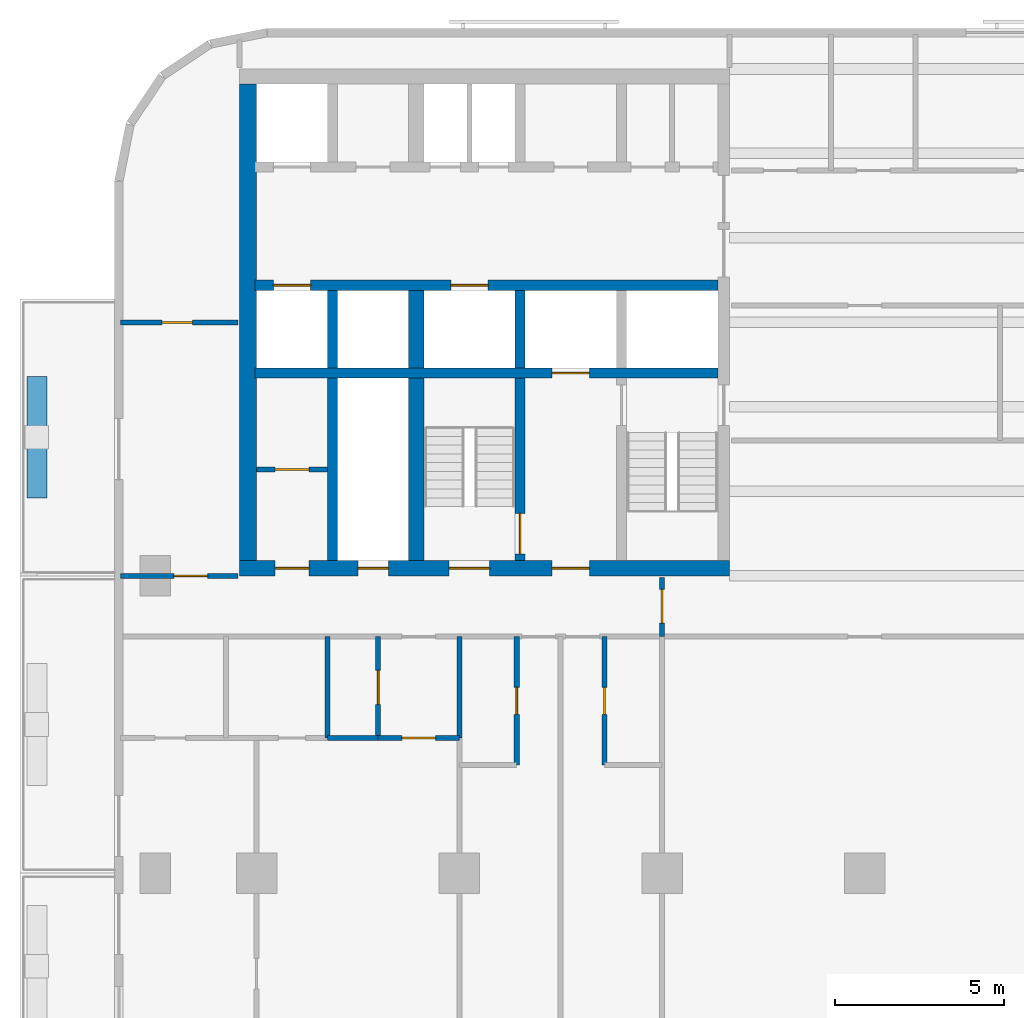
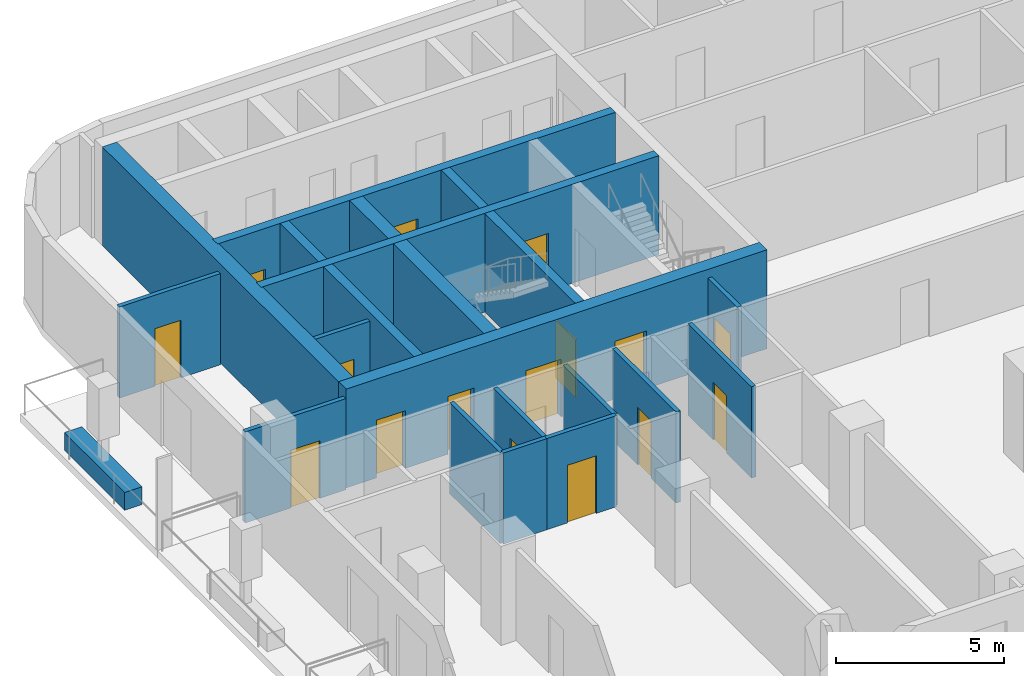
# One storey, part 3 of 11: 22 walls, 16 doors, 16 openings.
"""IFC4 building model written with IfcOpenShell, lengths in metres."""

from ifc_helpers import new_model, si_unit, direction, frame, frame_2d, origin, place, context, subcontext, project, spatial, rectangle, extrude, material, layer, layer_set, type_object, element, fill, save


model = new_model("IFC4")

# Units and contexts
model_context = context("Model", 3, precision=1e-05, world=origin(), true_north=direction((0.0, 1.0)))
body_context = subcontext(model_context, "Body", "Model", "MODEL_VIEW")
ifc_project = project(units=[si_unit("LENGTHUNIT", "METRE"), si_unit("AREAUNIT", "SQUARE_METRE"), si_unit("VOLUMEUNIT", "CUBIC_METRE"), si_unit("PLANEANGLEUNIT", "RADIAN"), si_unit("MASSUNIT", "GRAM", prefix="KILO")], contexts=[model_context])

# Site, building, storey
site_placement = place(None, origin())
site = spatial("IfcSite", under=ifc_project, at=site_placement, CompositionType="ELEMENT")
building_placement = place(site_placement, origin())
building = spatial("IfcBuilding", under=site, at=building_placement, Name="Torana Hotel and Residences", CompositionType="ELEMENT")
storey_placement = place(building_placement, frame((0.0, 0.0, 116.39990234375)))
storey = spatial("IfcBuildingStorey", under=building, at=storey_placement, Name="L29", CompositionType="ELEMENT", Elevation=116.39990234375)

# Wall, openings, doors
ifc_material_1 = material(Name="Concrete C70/85", Category="concrete")
ifc_layer_1 = layer(ifc_material_1, 0.300048828125)
ifc_layer_set_1 = layer_set([ifc_layer_1], Name="CORE WALL 300 C70/85")
wall_type_1 = type_object("IfcWallType", Name="CORE WALL 300 C70/85", PredefinedType="SHEAR", material=ifc_layer_set_1)
wall_1_placement = place(storey_placement, frame((-24.050048828125, -6.39990234375, 0.0), z_axis=(0.0, 0.0, 1.0), x_axis=(1.0, 0.0, 0.0)))
wall_1 = element("IfcWall", 1, at=wall_1_placement, inside=storey, type_object=wall_type_1, Name="Core wall W row-S", PredefinedType="SHEAR", context=body_context, shape_type="SweptSolid", body=[
    extrude(rectangle(XDim=13.699951171875, YDim=0.300048828125, at=frame_2d((6.85009765625, 0.0))), origin(), (0.0, 0.0, 1.0), 3.60009765625),
])
opening_1_placement = place(wall_1_placement, frame((0.550048828125, 0.0, 0.0)))
opening_1 = element("IfcOpeningElement", 2, at=opening_1_placement, cuts=wall_1, Name="Opening LD", PredefinedType="OPENING", context=body_context, shape_type="SweptSolid", body=[
    extrude(rectangle(XDim=1.10009765625, YDim=2.10009765625, at=frame_2d((0.550048828125, 1.050048828125))), frame((0.0, 0.159912109375, 0.0), z_axis=(0.0, -1.0, 0.0), x_axis=(1.0, 0.0, 0.0)), (0.0, 0.0, 1.0), 0.320068359375),
])
opening_2_placement = place(wall_1_placement, frame((5.800048828125, 0.0, 0.0)))
opening_2 = element("IfcOpeningElement", 3, at=opening_2_placement, cuts=wall_1, Name="Opening LD", PredefinedType="OPENING", context=body_context, shape_type="SweptSolid", body=[
    extrude(rectangle(XDim=1.10009765625, YDim=2.10009765625, at=frame_2d((0.550048828125, 1.050048828125))), frame((0.0, 0.159912109375, 0.0), z_axis=(0.0, -1.0, 0.0), x_axis=(1.0, 0.0, 0.0)), (0.0, 0.0, 1.0), 0.320068359375),
])
ifc_material_2 = material(Name="Stainless steel 316", Category="steel")
door_type_1 = type_object("IfcDoorType", Name="LIFT LANDING DOOR LD 1100x2100", OperationType="DOUBLE_DOOR_SLIDING", PredefinedType="USERDEFINED", material=ifc_material_2)
door_1_placement = place(opening_1_placement, origin())
door_1 = element("IfcDoor", 4, at=door_1_placement, inside=storey, type_object=door_type_1, Name="Lift landing door M2 L29", ObjectType="LIFT LANDING DOOR", OperationType="DOUBLE_DOOR_SLIDING", OverallHeight=2.10009765625, OverallWidth=1.10009765625, PredefinedType="USERDEFINED", context=body_context, shape_type="SweptSolid", body=[
    extrude(rectangle(XDim=1.10009765625, YDim=2.10009765625, at=frame_2d((0.550048828125, 1.050048828125))), frame((0.0, 0.02490234375, 0.0), z_axis=(0.0, -1.0, 0.0), x_axis=(1.0, 0.0, 0.0)), (0.0, 0.0, 1.0), 0.050048828125),
])
fill(opening_1, door_1)
door_2_placement = place(opening_2_placement, origin())
door_2 = element("IfcDoor", 5, at=door_2_placement, inside=storey, type_object=door_type_1, Name="Lift landing door SV1 L29", ObjectType="LIFT LANDING DOOR", OperationType="DOUBLE_DOOR_SLIDING", OverallHeight=2.10009765625, OverallWidth=1.10009765625, PredefinedType="USERDEFINED", context=body_context, shape_type="SweptSolid", body=[
    extrude(rectangle(XDim=1.10009765625, YDim=2.10009765625, at=frame_2d((0.550048828125, 1.050048828125))), frame((0.0, 0.02490234375, 0.0), z_axis=(0.0, -1.0, 0.0), x_axis=(1.0, 0.0, 0.0)), (0.0, 0.0, 1.0), 0.050048828125),
])
fill(opening_2, door_2)

# Wall, opening, door
wall_2_placement = place(storey_placement, frame((-24.050048828125, -9.0, 0.0), z_axis=(0.0, 0.0, 1.0), x_axis=(1.0, 0.0, 0.0)))
wall_2 = element("IfcWall", 6, at=wall_2_placement, inside=storey, type_object=wall_type_1, Name="Core wall W band", PredefinedType="SHEAR", context=body_context, shape_type="SweptSolid", body=[
    extrude(rectangle(XDim=13.699951171875, YDim=0.300048828125, at=frame_2d((6.85009765625, 0.0))), origin(), (0.0, 0.0, 1.0), 3.60009765625),
])
opening_3_placement = place(wall_2_placement, frame((8.800048828125, 0.0, 0.0)))
opening_3 = element("IfcOpeningElement", 7, at=opening_3_placement, cuts=wall_2, Name="Opening LD", PredefinedType="OPENING", context=body_context, shape_type="SweptSolid", body=[
    extrude(rectangle(XDim=1.10009765625, YDim=2.10009765625, at=frame_2d((0.550048828125, 1.050048828125))), frame((0.0, 0.159912109375, 0.0), z_axis=(0.0, -1.0, 0.0), x_axis=(1.0, 0.0, 0.0)), (0.0, 0.0, 1.0), 0.320068359375),
])
door_3_placement = place(opening_3_placement, origin())
door_3 = element("IfcDoor", 8, at=door_3_placement, inside=storey, type_object=door_type_1, Name="Lift landing door FF1 L29", ObjectType="LIFT LANDING DOOR", OperationType="DOUBLE_DOOR_SLIDING", OverallHeight=2.10009765625, OverallWidth=1.10009765625, PredefinedType="USERDEFINED", context=body_context, shape_type="SweptSolid", body=[
    extrude(rectangle(XDim=1.10009765625, YDim=2.10009765625, at=frame_2d((0.550048828125, 1.050048828125))), frame((0.0, 0.02490234375, 0.0), z_axis=(0.0, -1.0, 0.0), x_axis=(1.0, 0.0, 0.0)), (0.0, 0.0, 1.0), 0.050048828125),
])
fill(opening_3, door_3)

# Wall
wall_3_placement = place(storey_placement, frame((-16.199951171875, -8.85009765625, 0.0), z_axis=(0.0, 0.0, 1.0), x_axis=(0.0, 1.0, 0.0)))
element("IfcWall", 9, at=wall_3_placement, inside=storey, type_object=wall_type_1, Name="Core wall W x6.05-S", PredefinedType="SHEAR", context=body_context, shape_type="SweptSolid", body=[
    extrude(rectangle(XDim=2.300048828125, YDim=0.300048828125, at=frame_2d((1.14990234375, 0.0))), origin(), (0.0, 0.0, 1.0), 3.60009765625),
])

# Wall, opening, door
wall_4_placement = place(storey_placement, frame((-16.199951171875, -14.550048828125, 0.0), z_axis=(0.0, 0.0, 1.0), x_axis=(0.0, 1.0, 0.0)))
wall_4 = element("IfcWall", 10, at=wall_4_placement, inside=storey, type_object=wall_type_1, Name="Core wall W x6.05-band", PredefinedType="SHEAR", context=body_context, shape_type="SweptSolid", body=[
    extrude(rectangle(XDim=5.400146484375, YDim=0.300048828125, at=frame_2d((2.7001953125, 0.0))), origin(), (0.0, 0.0, 1.0), 3.60009765625),
])
opening_4_placement = place(wall_4_placement, frame((0.199951171875, 0.0, 0.0)))
opening_4 = element("IfcOpeningElement", 11, at=opening_4_placement, cuts=wall_4, Name="Opening L29-15", PredefinedType="OPENING", context=body_context, shape_type="SweptSolid", body=[
    extrude(rectangle(XDim=1.199951171875, YDim=2.10009765625, at=frame_2d((0.60009765625, 1.050048828125))), frame((0.0, 0.159912109375, 0.0), z_axis=(0.0, -1.0, 0.0), x_axis=(1.0, 0.0, 0.0)), (0.0, 0.0, 1.0), 0.320068359375),
])
ifc_material_3 = material(Name="Steel S235", Category="steel")
door_type_2 = type_object("IfcDoorType", Name="STAIR FIRE DOOR D3 1200x2100", OperationType="SINGLE_SWING_LEFT", PredefinedType="DOOR", material=ifc_material_3)
door_4_placement = place(opening_4_placement, origin())
door_4 = element("IfcDoor", 12, at=door_4_placement, inside=storey, type_object=door_type_2, Name="Stair-B-lobby door L29", OperationType="SINGLE_SWING_RIGHT", OverallHeight=2.10009765625, OverallWidth=1.199951171875, PredefinedType="DOOR", context=body_context, shape_type="SweptSolid", body=[
    extrude(rectangle(XDim=1.199951171875, YDim=2.10009765625, at=frame_2d((0.60009765625, 1.050048828125))), frame((0.0, 0.02490234375, 0.0), z_axis=(0.0, -1.0, 0.0), x_axis=(1.0, 0.0, 0.0)), (0.0, 0.0, 1.0), 0.050048828125),
])
fill(opening_4, door_4)

# Walls
wall_5_placement = place(storey_placement, frame((-21.75, -8.85009765625, 0.0), z_axis=(0.0, 0.0, 1.0), x_axis=(0.0, 1.0, 0.0)))
element("IfcWall", 13, at=wall_5_placement, inside=storey, type_object=wall_type_1, Name="Core wall W mm-S", PredefinedType="SHEAR", context=body_context, shape_type="SweptSolid", body=[
    extrude(rectangle(XDim=2.300048828125, YDim=0.300048828125, at=frame_2d((1.14990234375, 0.0))), origin(), (0.0, 0.0, 1.0), 3.60009765625),
])
wall_6_placement = place(storey_placement, frame((-21.75, -14.550048828125, 0.0), z_axis=(0.0, 0.0, 1.0), x_axis=(0.0, 1.0, 0.0)))
element("IfcWall", 14, at=wall_6_placement, inside=storey, type_object=wall_type_1, Name="Core wall W mm-band", PredefinedType="SHEAR", context=body_context, shape_type="SweptSolid", body=[
    extrude(rectangle(XDim=5.400146484375, YDim=0.300048828125, at=frame_2d((2.7001953125, 0.0))), origin(), (0.0, 0.0, 1.0), 3.60009765625),
])

# Wall, openings, doors
ifc_material_4 = material(Name="Concrete C70/85", Category="concrete")
ifc_layer_2 = layer(ifc_material_4, 0.449951171875)
ifc_layer_set_2 = layer_set([ifc_layer_2], Name="CORE WALL 450 C70/85")
wall_type_2 = type_object("IfcWallType", Name="CORE WALL 450 C70/85", PredefinedType="SHEAR", material=ifc_layer_set_2)
wall_7_placement = place(storey_placement, frame((-24.5, -14.77490234375, 0.0), z_axis=(0.0, 0.0, 1.0), x_axis=(1.0, 0.0, 0.0)))
wall_7 = element("IfcWall", 15, at=wall_7_placement, inside=storey, type_object=wall_type_2, Name="Core wall W front", PredefinedType="SHEAR", context=body_context, shape_type="SweptSolid", body=[
    extrude(rectangle(XDim=14.5, YDim=0.449951171875, at=frame_2d((7.25, 0.0))), origin(), (0.0, 0.0, 1.0), 3.60009765625),
])
opening_5_placement = place(wall_7_placement, frame((6.199951171875, 0.0, 0.0)))
opening_5 = element("IfcOpeningElement", 16, at=opening_5_placement, cuts=wall_7, Name="Opening L29-04", PredefinedType="OPENING", context=body_context, shape_type="SweptSolid", body=[
    extrude(rectangle(XDim=1.199951171875, YDim=2.10009765625, at=frame_2d((0.60009765625, 1.050048828125))), frame((0.0, 0.23486328125, 0.0), z_axis=(0.0, -1.0, 0.0), x_axis=(1.0, 0.0, 0.0)), (0.0, 0.0, 1.0), 0.469970703125),
])
opening_6_placement = place(wall_7_placement, frame((9.25, 0.0, 0.0)))
opening_6 = element("IfcOpeningElement", 17, at=opening_6_placement, cuts=wall_7, Name="Opening L29-05", PredefinedType="OPENING", context=body_context, shape_type="SweptSolid", body=[
    extrude(rectangle(XDim=1.10009765625, YDim=2.10009765625, at=frame_2d((0.550048828125, 1.050048828125))), frame((0.0, 0.23486328125, 0.0), z_axis=(0.0, -1.0, 0.0), x_axis=(1.0, 0.0, 0.0)), (0.0, 0.0, 1.0), 0.469970703125),
])
opening_7_placement = place(wall_7_placement, frame((3.5, 0.0, 0.0)))
opening_7 = element("IfcOpeningElement", 18, at=opening_7_placement, cuts=wall_7, Name="Opening L29-06", PredefinedType="OPENING", context=body_context, shape_type="SweptSolid", body=[
    extrude(rectangle(XDim=0.89990234375, YDim=2.10009765625, at=frame_2d((0.449951171875, 1.050048828125))), frame((0.0, 0.23486328125, 0.0), z_axis=(0.0, -1.0, 0.0), x_axis=(1.0, 0.0, 0.0)), (0.0, 0.0, 1.0), 0.469970703125),
])
opening_8_placement = place(wall_7_placement, frame((1.050048828125, 0.0, 0.0)))
opening_8 = element("IfcOpeningElement", 19, at=opening_8_placement, cuts=wall_7, Name="Opening L29-07", PredefinedType="OPENING", context=body_context, shape_type="SweptSolid", body=[
    extrude(rectangle(XDim=1.0, YDim=2.10009765625, at=frame_2d((0.5, 1.050048828125))), frame((0.0, 0.23486328125, 0.0), z_axis=(0.0, -1.0, 0.0), x_axis=(1.0, 0.0, 0.0)), (0.0, 0.0, 1.0), 0.469970703125),
])
ifc_material_5 = material(Name="Steel S235", Category="steel")
door_type_3 = type_object("IfcDoorType", Name="CORE ROOM FIRE DOOR D14 1000x2100", OperationType="SINGLE_SWING_LEFT", PredefinedType="DOOR", material=ifc_material_5)
door_5_placement = place(opening_8_placement, origin())
door_5 = element("IfcDoor", 20, at=door_5_placement, inside=storey, type_object=door_type_3, Name="M-Room-B door L29", OperationType="SINGLE_SWING_RIGHT", OverallHeight=2.10009765625, OverallWidth=1.0, PredefinedType="DOOR", context=body_context, shape_type="SweptSolid", body=[
    extrude(rectangle(XDim=1.0, YDim=2.10009765625, at=frame_2d((0.5, 1.050048828125))), frame((0.0, 0.02490234375, 0.0), z_axis=(0.0, -1.0, 0.0), x_axis=(1.0, 0.0, 0.0)), (0.0, 0.0, 1.0), 0.050048828125),
])
fill(opening_8, door_5)
ifc_material_6 = material(Name="Steel S235", Category="steel")
door_type_4 = type_object("IfcDoorType", Name="FIRE-FIGHTING LOBBY DOOR D8 1100x2100", OperationType="SINGLE_SWING_LEFT", PredefinedType="DOOR", material=ifc_material_6)
door_6_placement = place(opening_6_placement, origin())
door_6 = element("IfcDoor", 21, at=door_6_placement, inside=storey, type_object=door_type_4, Name="FF-lobby door L29", OperationType="SINGLE_SWING_RIGHT", OverallHeight=2.10009765625, OverallWidth=1.10009765625, PredefinedType="DOOR", context=body_context, shape_type="SweptSolid", body=[
    extrude(rectangle(XDim=1.10009765625, YDim=2.10009765625, at=frame_2d((0.550048828125, 1.050048828125))), frame((0.0, 0.02490234375, 0.0), z_axis=(0.0, -1.0, 0.0), x_axis=(1.0, 0.0, 0.0)), (0.0, 0.0, 1.0), 0.050048828125),
])
fill(opening_6, door_6)
ifc_material_7 = material(Name="Steel S235", Category="steel")
door_type_5 = type_object("IfcDoorType", Name="RISER ACCESS DOOR D5 900x2100", OperationType="SINGLE_SWING_LEFT", PredefinedType="DOOR", material=ifc_material_7)
door_7_placement = place(opening_7_placement, origin())
door_7 = element("IfcDoor", 22, at=door_7_placement, inside=storey, type_object=door_type_5, Name="M-Riser door L29", OperationType="SINGLE_SWING_RIGHT", OverallHeight=2.10009765625, OverallWidth=0.89990234375, PredefinedType="DOOR", context=body_context, shape_type="SweptSolid", body=[
    extrude(rectangle(XDim=0.89990234375, YDim=2.10009765625, at=frame_2d((0.449951171875, 1.050048828125))), frame((0.0, 0.02490234375, 0.0), z_axis=(0.0, -1.0, 0.0), x_axis=(1.0, 0.0, 0.0)), (0.0, 0.0, 1.0), 0.050048828125),
])
fill(opening_7, door_7)
door_8_placement = place(opening_5_placement, origin())
door_8 = element("IfcDoor", 23, at=door_8_placement, inside=storey, type_object=door_type_2, Name="Stair-B door L29", OperationType="SINGLE_SWING_RIGHT", OverallHeight=2.10009765625, OverallWidth=1.199951171875, PredefinedType="DOOR", context=body_context, shape_type="SweptSolid", body=[
    extrude(rectangle(XDim=1.199951171875, YDim=2.10009765625, at=frame_2d((0.60009765625, 1.050048828125))), frame((0.0, 0.02490234375, 0.0), z_axis=(0.0, -1.0, 0.0), x_axis=(1.0, 0.0, 0.0)), (0.0, 0.0, 1.0), 0.050048828125),
])
fill(opening_5, door_8)

# Walls
wall_8_placement = place(storey_placement, frame((-19.27490234375, -8.85009765625, 0.0), z_axis=(0.0, 0.0, 1.0), x_axis=(0.0, 1.0, 0.0)))
element("IfcWall", 24, at=wall_8_placement, inside=storey, type_object=wall_type_2, Name="Core wall W hm-S", PredefinedType="SHEAR", context=body_context, shape_type="SweptSolid", body=[
    extrude(rectangle(XDim=2.300048828125, YDim=0.449951171875, at=frame_2d((1.14990234375, 0.0))), origin(), (0.0, 0.0, 1.0), 3.60009765625),
])
wall_9_placement = place(storey_placement, frame((-19.27490234375, -14.550048828125, 0.0), z_axis=(0.0, 0.0, 1.0), x_axis=(0.0, 1.0, 0.0)))
element("IfcWall", 25, at=wall_9_placement, inside=storey, type_object=wall_type_2, Name="Core wall W hm-band", PredefinedType="SHEAR", context=body_context, shape_type="SweptSolid", body=[
    extrude(rectangle(XDim=5.400146484375, YDim=0.449951171875, at=frame_2d((2.7001953125, 0.0))), origin(), (0.0, 0.0, 1.0), 3.60009765625),
])
ifc_material_8 = material(Name="Concrete C70/85", Category="concrete")
ifc_layer_3 = layer(ifc_material_8, 0.5)
ifc_layer_set_3 = layer_set([ifc_layer_3], Name="CORE WALL 500 C70/85")
wall_type_3 = type_object("IfcWallType", Name="CORE WALL 500 C70/85", PredefinedType="SHEAR", material=ifc_layer_set_3)
wall_10_placement = place(storey_placement, frame((-24.25, -14.550048828125, 0.0), z_axis=(0.0, 0.0, 1.0), x_axis=(0.0, 1.0, 0.0)))
element("IfcWall", 26, at=wall_10_placement, inside=storey, type_object=wall_type_3, Name="Core wall W outer", PredefinedType="SHEAR", context=body_context, shape_type="SweptSolid", body=[
    extrude(rectangle(XDim=14.10009765625, YDim=0.5, at=frame_2d((7.050048828125, 0.0))), origin(), (0.0, 0.0, 1.0), 3.60009765625),
])

# Wall, opening, door
ifc_material_9 = material(Name="Gypsum plaster")
ifc_layer_4 = layer(ifc_material_9, 0.014892578125, Name="Plaster", Category="finish")
ifc_material_10 = material(Name="Concrete blockwork", Category="masonry")
ifc_layer_5 = layer(ifc_material_10, 0.1201171875, Name="Blockwork", Category="structure")
ifc_layer_6 = layer(ifc_material_9, 0.014892578125, Name="Plaster", Category="finish")
ifc_layer_set_4 = layer_set([ifc_layer_4, ifc_layer_5, ifc_layer_6], Name="FIRE PARTITION 150 BLOCKWORK")
wall_type_4 = type_object("IfcWallType", Name="FIRE PARTITION 150 BLOCKWORK", PredefinedType="PARTITIONING", material=ifc_layer_set_4)
wall_11_placement = place(storey_placement, frame((-24.0, -11.85009765625, 0.0), z_axis=(0.0, 0.0, 1.0), x_axis=(1.0, 0.0, 0.0)))
wall_11 = element("IfcWall", 27, at=wall_11_placement, inside=storey, type_object=wall_type_4, Name="Core partition L29", PredefinedType="PARTITIONING", context=body_context, shape_type="SweptSolid", body=[
    extrude(rectangle(XDim=2.10009765625, YDim=0.14990234375, at=frame_2d((1.050048828125, 0.0))), origin(), (0.0, 0.0, 1.0), 3.300048828125),
])
opening_9_placement = place(wall_11_placement, frame((0.550048828125, 0.0, 0.0)))
opening_9 = element("IfcOpeningElement", 28, at=opening_9_placement, cuts=wall_11, Name="Opening L29-31", PredefinedType="OPENING", context=body_context, shape_type="SweptSolid", body=[
    extrude(rectangle(XDim=1.0, YDim=2.10009765625, at=frame_2d((0.5, 1.050048828125))), frame((0.0, 0.0849609375, 0.0), z_axis=(0.0, -1.0, 0.0), x_axis=(1.0, 0.0, 0.0)), (0.0, 0.0, 1.0), 0.169921875),
])
door_9_placement = place(opening_9_placement, origin())
door_9 = element("IfcDoor", 29, at=door_9_placement, inside=storey, type_object=door_type_3, Name="Plant room door L29", OperationType="SINGLE_SWING_RIGHT", OverallHeight=2.10009765625, OverallWidth=1.0, PredefinedType="DOOR", context=body_context, shape_type="SweptSolid", body=[
    extrude(rectangle(XDim=1.0, YDim=2.10009765625, at=frame_2d((0.5, 1.050048828125))), frame((0.0, 0.02490234375, 0.0), z_axis=(0.0, -1.0, 0.0), x_axis=(1.0, 0.0, 0.0)), (0.0, 0.0, 1.0), 0.050048828125),
])
fill(opening_9, door_9)

wall_12_placement = place(storey_placement, frame((-12.0, -16.800048828125, 0.0), z_axis=(0.0, 0.0, 1.0), x_axis=(0.0, 1.0, 0.0)))
wall_12 = element("IfcWall", 30, at=wall_12_placement, inside=storey, type_object=wall_type_4, Name="Partition L29", PredefinedType="PARTITIONING", context=body_context, shape_type="SweptSolid", body=[
    extrude(rectangle(XDim=1.75, YDim=0.14990234375, at=frame_2d((0.875, 0.0))), origin(), (0.0, 0.0, 1.0), 3.320068359375),
])
opening_10_placement = place(wall_12_placement, frame((0.39990234375, 0.0, 0.0)))
opening_10 = element("IfcOpeningElement", 31, at=opening_10_placement, cuts=wall_12, Name="Opening L29-33", PredefinedType="OPENING", context=body_context, shape_type="SweptSolid", body=[
    extrude(rectangle(XDim=1.0, YDim=2.10009765625, at=frame_2d((0.5, 1.050048828125))), frame((0.0, 0.0849609375, 0.0), z_axis=(0.0, -1.0, 0.0), x_axis=(1.0, 0.0, 0.0)), (0.0, 0.0, 1.0), 0.169921875),
])
ifc_material_11 = material(Name="Steel S235", Category="steel")
door_type_6 = type_object("IfcDoorType", Name="ENTRY FIRE DOOR D6 1000x2100", OperationType="SINGLE_SWING_LEFT", PredefinedType="DOOR", material=ifc_material_11)
door_10_placement = place(opening_10_placement, origin())
door_10 = element("IfcDoor", 32, at=door_10_placement, inside=storey, type_object=door_type_6, Name="Door L29", OperationType="SINGLE_SWING_RIGHT", OverallHeight=2.10009765625, OverallWidth=1.0, PredefinedType="DOOR", context=body_context, shape_type="SweptSolid", body=[
    extrude(rectangle(XDim=1.0, YDim=2.10009765625, at=frame_2d((0.5, 1.050048828125))), frame((0.0, 0.02490234375, 0.0), z_axis=(0.0, -1.0, 0.0), x_axis=(1.0, 0.0, 0.0)), (0.0, 0.0, 1.0), 0.050048828125),
])
fill(opening_10, door_10)

# Wall
wall_13_placement = place(storey_placement, frame((-18.0, -19.800048828125, 0.0), z_axis=(0.0, 0.0, 1.0), x_axis=(0.0, 1.0, 0.0)))
element("IfcWall", 33, at=wall_13_placement, inside=storey, type_object=wall_type_4, Name="Partition L29", PredefinedType="PARTITIONING", context=body_context, shape_type="SweptSolid", body=[
    extrude(rectangle(XDim=3.0, YDim=0.14990234375, at=frame_2d((1.5, 0.0))), origin(), (0.0, 0.0, 1.0), 3.320068359375),
])

# Wall, opening, door
wall_14_placement = place(storey_placement, frame((-20.39990234375, -19.800048828125, 0.0), z_axis=(0.0, 0.0, 1.0), x_axis=(0.0, 1.0, 0.0)))
wall_14 = element("IfcWall", 34, at=wall_14_placement, inside=storey, type_object=wall_type_4, Name="Partition L29", PredefinedType="PARTITIONING", context=body_context, shape_type="SweptSolid", body=[
    extrude(rectangle(XDim=3.0, YDim=0.14990234375, at=frame_2d((1.5, 0.0))), origin(), (0.0, 0.0, 1.0), 3.320068359375),
])
opening_11_placement = place(wall_14_placement, frame((1.0, 0.0, 0.0)))
opening_11 = element("IfcOpeningElement", 35, at=opening_11_placement, cuts=wall_14, Name="Opening L29-57", PredefinedType="OPENING", context=body_context, shape_type="SweptSolid", body=[
    extrude(rectangle(XDim=1.0, YDim=2.10009765625, at=frame_2d((0.5, 1.050048828125))), frame((0.0, 0.0849609375, 0.0), z_axis=(0.0, -1.0, 0.0), x_axis=(1.0, 0.0, 0.0)), (0.0, 0.0, 1.0), 0.169921875),
])
door_11_placement = place(opening_11_placement, origin())
door_11 = element("IfcDoor", 36, at=door_11_placement, inside=storey, type_object=door_type_6, Name="Door L29", OperationType="SINGLE_SWING_RIGHT", OverallHeight=2.10009765625, OverallWidth=1.0, PredefinedType="DOOR", context=body_context, shape_type="SweptSolid", body=[
    extrude(rectangle(XDim=1.0, YDim=2.10009765625, at=frame_2d((0.5, 1.050048828125))), frame((0.0, 0.02490234375, 0.0), z_axis=(0.0, -1.0, 0.0), x_axis=(1.0, 0.0, 0.0)), (0.0, 0.0, 1.0), 0.050048828125),
])
fill(opening_11, door_11)

wall_15_placement = place(storey_placement, frame((-20.39990234375, -19.800048828125, 0.0), z_axis=(0.0, 0.0, 1.0), x_axis=(1.0, 0.0, 0.0)))
wall_15 = element("IfcWall", 37, at=wall_15_placement, inside=storey, type_object=wall_type_4, Name="Partition L29", PredefinedType="PARTITIONING", context=body_context, shape_type="SweptSolid", body=[
    extrude(rectangle(XDim=2.39990234375, YDim=0.14990234375, at=frame_2d((1.199951171875, 0.0))), origin(), (0.0, 0.0, 1.0), 3.320068359375),
])
opening_12_placement = place(wall_15_placement, frame((0.699951171875, 0.0, 0.0)))
opening_12 = element("IfcOpeningElement", 38, at=opening_12_placement, cuts=wall_15, Name="Opening L29-58", PredefinedType="OPENING", context=body_context, shape_type="SweptSolid", body=[
    extrude(rectangle(XDim=1.0, YDim=2.10009765625, at=frame_2d((0.5, 1.050048828125))), frame((0.0, 0.0849609375, 0.0), z_axis=(0.0, -1.0, 0.0), x_axis=(1.0, 0.0, 0.0)), (0.0, 0.0, 1.0), 0.169921875),
])
door_12_placement = place(opening_12_placement, frame((0.5, 0.0, 0.0), z_axis=(0.0, 0.0, 1.0), x_axis=(-1.0, 0.0, 0.0)))
door_12 = element("IfcDoor", 39, at=door_12_placement, inside=storey, type_object=door_type_6, Name="Door L29", OperationType="SINGLE_SWING_RIGHT", OverallHeight=2.10009765625, OverallWidth=1.0, PredefinedType="DOOR", context=body_context, shape_type="SweptSolid", body=[
    extrude(rectangle(XDim=1.0, YDim=2.10009765625, at=frame_2d((0.0, 1.050048828125))), frame((0.0, -0.02490234375, 0.0), z_axis=(0.0, 1.0, 0.0), x_axis=(-1.0, 0.0, 0.0)), (0.0, 0.0, 1.0), 0.050048828125),
])
fill(opening_12, door_12)

wall_16_placement = place(storey_placement, frame((-28.02001953125, -15.0, 0.0), z_axis=(0.0, 0.0, 1.0), x_axis=(1.0, 0.0, 0.0)))
wall_16 = element("IfcWall", 40, at=wall_16_placement, inside=storey, type_object=wall_type_4, Name="Partition L29", PredefinedType="PARTITIONING", context=body_context, shape_type="SweptSolid", body=[
    extrude(rectangle(XDim=3.469970703125, YDim=0.14990234375, at=frame_2d((1.73486328125, 0.0))), origin(), (0.0, 0.0, 1.0), 3.320068359375),
])
opening_13_placement = place(wall_16_placement, frame((1.570068359375, 0.0, 0.0)))
opening_13 = element("IfcOpeningElement", 41, at=opening_13_placement, cuts=wall_16, Name="Opening L29-37", PredefinedType="OPENING", context=body_context, shape_type="SweptSolid", body=[
    extrude(rectangle(XDim=1.0, YDim=2.10009765625, at=frame_2d((0.5, 1.050048828125))), frame((0.0, 0.0849609375, 0.0), z_axis=(0.0, -1.0, 0.0), x_axis=(1.0, 0.0, 0.0)), (0.0, 0.0, 1.0), 0.169921875),
])
door_13_placement = place(opening_13_placement, origin())
door_13 = element("IfcDoor", 42, at=door_13_placement, inside=storey, type_object=door_type_3, Name="Door L29", OperationType="SINGLE_SWING_RIGHT", OverallHeight=2.10009765625, OverallWidth=1.0, PredefinedType="DOOR", context=body_context, shape_type="SweptSolid", body=[
    extrude(rectangle(XDim=1.0, YDim=2.10009765625, at=frame_2d((0.5, 1.050048828125))), frame((0.0, 0.02490234375, 0.0), z_axis=(0.0, -1.0, 0.0), x_axis=(1.0, 0.0, 0.0)), (0.0, 0.0, 1.0), 0.050048828125),
])
fill(opening_13, door_13)

ifc_material_12 = material(Name="Gypsum plasterboard")
ifc_layer_7 = layer(ifc_material_12, 0.012451171875, Name="Plasterboard", Category="finish")
ifc_layer_8 = layer(ifc_material_12, 0.012451171875, Name="Plasterboard", Category="finish")
ifc_material_13 = material(Name="Steel S280GD", Category="steel")
ifc_layer_9 = layer(ifc_material_13, 0.10009765625, Name="Steel studs with mineral wool", Category="insulation")
ifc_layer_10 = layer(ifc_material_12, 0.012451171875, Name="Plasterboard", Category="finish")
ifc_layer_11 = layer(ifc_material_12, 0.012451171875, Name="Plasterboard", Category="finish")
ifc_layer_set_5 = layer_set([ifc_layer_7, ifc_layer_8, ifc_layer_9, ifc_layer_10, ifc_layer_11], Name="PARTITION 150 PLASTERBOARD")
wall_type_5 = type_object("IfcWallType", Name="PARTITION 150 PLASTERBOARD", PredefinedType="PARTITIONING", material=ifc_layer_set_5)
wall_17_placement = place(storey_placement, frame((-13.699951171875, -20.60009765625, 0.0), z_axis=(0.0, 0.0, 1.0), x_axis=(0.0, 1.0, 0.0)))
wall_17 = element("IfcWall", 43, at=wall_17_placement, inside=storey, type_object=wall_type_5, Name="Partition L29", PredefinedType="PARTITIONING", context=body_context, shape_type="SweptSolid", body=[
    extrude(rectangle(XDim=3.800048828125, YDim=0.14990234375, at=frame_2d((1.89990234375, 0.0))), origin(), (0.0, 0.0, 1.0), 3.320068359375),
])
opening_14_placement = place(wall_17_placement, frame((1.5, 0.0, 0.0)))
opening_14 = element("IfcOpeningElement", 44, at=opening_14_placement, cuts=wall_17, Name="Opening L29-53", PredefinedType="OPENING", context=body_context, shape_type="SweptSolid", body=[
    extrude(rectangle(XDim=0.800048828125, YDim=2.10009765625, at=frame_2d((0.39990234375, 1.050048828125))), frame((0.0, 0.0849609375, 0.0), z_axis=(0.0, -1.0, 0.0), x_axis=(1.0, 0.0, 0.0)), (0.0, 0.0, 1.0), 0.169921875),
])
ifc_material_14 = material(Name="Timber door, painted", Category="wood")
door_type_7 = type_object("IfcDoorType", Name="BATH DOOR D13 800x2100", OperationType="SINGLE_SWING_LEFT", PredefinedType="DOOR", material=ifc_material_14)
door_14_placement = place(opening_14_placement, origin())
door_14 = element("IfcDoor", 45, at=door_14_placement, inside=storey, type_object=door_type_7, Name="Door L29", OperationType="SINGLE_SWING_RIGHT", OverallHeight=2.10009765625, OverallWidth=0.800048828125, PredefinedType="DOOR", context=body_context, shape_type="SweptSolid", body=[
    extrude(rectangle(XDim=0.800048828125, YDim=2.10009765625, at=frame_2d((0.39990234375, 1.050048828125))), frame((0.0, 0.02490234375, 0.0), z_axis=(0.0, -1.0, 0.0), x_axis=(1.0, 0.0, 0.0)), (0.0, 0.0, 1.0), 0.050048828125),
])
fill(opening_14, door_14)

wall_18_placement = place(storey_placement, frame((-16.300048828125, -20.60009765625, 0.0), z_axis=(0.0, 0.0, 1.0), x_axis=(0.0, 1.0, 0.0)))
wall_18 = element("IfcWall", 46, at=wall_18_placement, inside=storey, type_object=wall_type_5, Name="Partition L29", PredefinedType="PARTITIONING", context=body_context, shape_type="SweptSolid", body=[
    extrude(rectangle(XDim=3.800048828125, YDim=0.14990234375, at=frame_2d((1.89990234375, 0.0))), origin(), (0.0, 0.0, 1.0), 3.320068359375),
])
opening_15_placement = place(wall_18_placement, frame((1.5, 0.0, 0.0)))
opening_15 = element("IfcOpeningElement", 47, at=opening_15_placement, cuts=wall_18, Name="Opening L29-54", PredefinedType="OPENING", context=body_context, shape_type="SweptSolid", body=[
    extrude(rectangle(XDim=0.800048828125, YDim=2.10009765625, at=frame_2d((0.39990234375, 1.050048828125))), frame((0.0, 0.0849609375, 0.0), z_axis=(0.0, -1.0, 0.0), x_axis=(1.0, 0.0, 0.0)), (0.0, 0.0, 1.0), 0.169921875),
])
door_15_placement = place(opening_15_placement, origin())
door_15 = element("IfcDoor", 48, at=door_15_placement, inside=storey, type_object=door_type_7, Name="Door L29", OperationType="SINGLE_SWING_RIGHT", OverallHeight=2.10009765625, OverallWidth=0.800048828125, PredefinedType="DOOR", context=body_context, shape_type="SweptSolid", body=[
    extrude(rectangle(XDim=0.800048828125, YDim=2.10009765625, at=frame_2d((0.39990234375, 1.050048828125))), frame((0.0, 0.02490234375, 0.0), z_axis=(0.0, -1.0, 0.0), x_axis=(1.0, 0.0, 0.0)), (0.0, 0.0, 1.0), 0.050048828125),
])
fill(opening_15, door_15)

wall_19_placement = place(storey_placement, frame((-28.02001953125, -7.5, 0.0), z_axis=(0.0, 0.0, 1.0), x_axis=(1.0, 0.0, 0.0)))
wall_19 = element("IfcWall", 49, at=wall_19_placement, inside=storey, type_object=wall_type_5, Name="Partition L29", PredefinedType="PARTITIONING", context=body_context, shape_type="SweptSolid", body=[
    extrude(rectangle(XDim=3.469970703125, YDim=0.14990234375, at=frame_2d((1.73486328125, 0.0))), origin(), (0.0, 0.0, 1.0), 3.320068359375),
])
opening_16_placement = place(wall_19_placement, frame((1.219970703125, 0.0, 0.0)))
opening_16 = element("IfcOpeningElement", 50, at=opening_16_placement, cuts=wall_19, Name="Opening L29-67", PredefinedType="OPENING", context=body_context, shape_type="SweptSolid", body=[
    extrude(rectangle(XDim=0.89990234375, YDim=2.10009765625, at=frame_2d((0.449951171875, 1.050048828125))), frame((0.0, 0.0849609375, 0.0), z_axis=(0.0, -1.0, 0.0), x_axis=(1.0, 0.0, 0.0)), (0.0, 0.0, 1.0), 0.169921875),
])
ifc_material_15 = material(Name="Timber door, oiled ash", Category="wood")
door_type_8 = type_object("IfcDoorType", Name="ROOM DOOR D7 900x2100", OperationType="SINGLE_SWING_LEFT", PredefinedType="DOOR", material=ifc_material_15)
door_16_placement = place(opening_16_placement, origin())
door_16 = element("IfcDoor", 51, at=door_16_placement, inside=storey, type_object=door_type_8, Name="Door L29", OperationType="SINGLE_SWING_RIGHT", OverallHeight=2.10009765625, OverallWidth=0.89990234375, PredefinedType="DOOR", context=body_context, shape_type="SweptSolid", body=[
    extrude(rectangle(XDim=0.89990234375, YDim=2.10009765625, at=frame_2d((0.449951171875, 1.050048828125))), frame((0.0, 0.02490234375, 0.0), z_axis=(0.0, -1.0, 0.0), x_axis=(1.0, 0.0, 0.0)), (0.0, 0.0, 1.0), 0.050048828125),
])
fill(opening_16, door_16)

# Walls
ifc_material_16 = material(Name="Concrete C40/50 precast", Category="concrete")
ifc_layer_12 = layer(ifc_material_16, 0.10009765625, Name="Planter shell", Category="structure")
ifc_material_17 = material(Name="Root resistant membrane")
ifc_layer_13 = layer(ifc_material_17, 0.00390625, Name="Waterproofing membrane", Category="membrane")
ifc_material_18 = material(Name="Drainage board with filter fleece")
ifc_layer_14 = layer(ifc_material_18, 0.02001953125, Name="Drainage board", Category="drainage")
ifc_material_19 = material(Name="Growing medium")
ifc_layer_15 = layer(ifc_material_19, 0.47607421875, Name="Planting substrate", Category="soil")
ifc_layer_set_6 = layer_set([ifc_layer_12, ifc_layer_13, ifc_layer_14, ifc_layer_15], Name="PL1 BALCONY PLANTER 600")
wall_type_6 = type_object("IfcWallType", Name="PL1 BALCONY PLANTER 600", PredefinedType="USERDEFINED", material=ifc_layer_set_6)
wall_20_placement = place(storey_placement, frame((-30.5, -12.699951171875, 0.0), z_axis=(0.0, 0.0, 1.0), x_axis=(0.0, 1.0, 0.0)))
element("IfcWall", 52, at=wall_20_placement, inside=storey, type_object=wall_type_6, Name="Planter 11", ObjectType="PLANTER", PredefinedType="USERDEFINED", context=body_context, shape_type="SweptSolid", body=[
    extrude(rectangle(XDim=3.599853515625, YDim=0.60009765625, at=frame_2d((1.7998046875, 0.0))), origin(), (0.0, 0.0, 1.0), 0.650146484375),
])
ifc_material_20 = material(Name="Ceramic tile on adhesive")
ifc_layer_16 = layer(ifc_material_20, 0.010009765625, Name="Wall tile", Category="finish")
ifc_material_21 = material(Name="Cement render")
ifc_layer_17 = layer(ifc_material_21, 0.010009765625, Name="Render", Category="finish")
ifc_layer_18 = layer(ifc_material_10, 0.110107421875, Name="Blockwork", Category="structure")
ifc_layer_19 = layer(ifc_material_21, 0.010009765625, Name="Render", Category="finish")
ifc_layer_20 = layer(ifc_material_20, 0.010009765625, Name="Wall tile", Category="finish")
ifc_layer_set_7 = layer_set([ifc_layer_16, ifc_layer_17, ifc_layer_18, ifc_layer_19, ifc_layer_20], Name="WC PARTITION 150")
wall_type_7 = type_object("IfcWallType", Name="WC PARTITION 150", PredefinedType="PLUMBINGWALL", material=ifc_layer_set_7)
wall_21_placement = place(storey_placement, frame((-21.89990234375, -19.800048828125, 0.0), z_axis=(0.0, 0.0, 1.0), x_axis=(0.0, 1.0, 0.0)))
element("IfcWall", 53, at=wall_21_placement, inside=storey, type_object=wall_type_7, Name="Partition L29", PredefinedType="PLUMBINGWALL", context=body_context, shape_type="SweptSolid", body=[
    extrude(rectangle(XDim=3.0, YDim=0.14990234375, at=frame_2d((1.5, 0.0))), origin(), (0.0, 0.0, 1.0), 3.320068359375),
])
wall_22_placement = place(storey_placement, frame((-21.89990234375, -19.800048828125, 0.0), z_axis=(0.0, 0.0, 1.0), x_axis=(1.0, 0.0, 0.0)))
element("IfcWall", 54, at=wall_22_placement, inside=storey, type_object=wall_type_7, Name="Partition L29", PredefinedType="PLUMBINGWALL", context=body_context, shape_type="SweptSolid", body=[
    extrude(rectangle(XDim=1.5, YDim=0.14990234375, at=frame_2d((0.75, 0.0))), origin(), (0.0, 0.0, 1.0), 3.320068359375),
])

save(model, "model.ifc")
